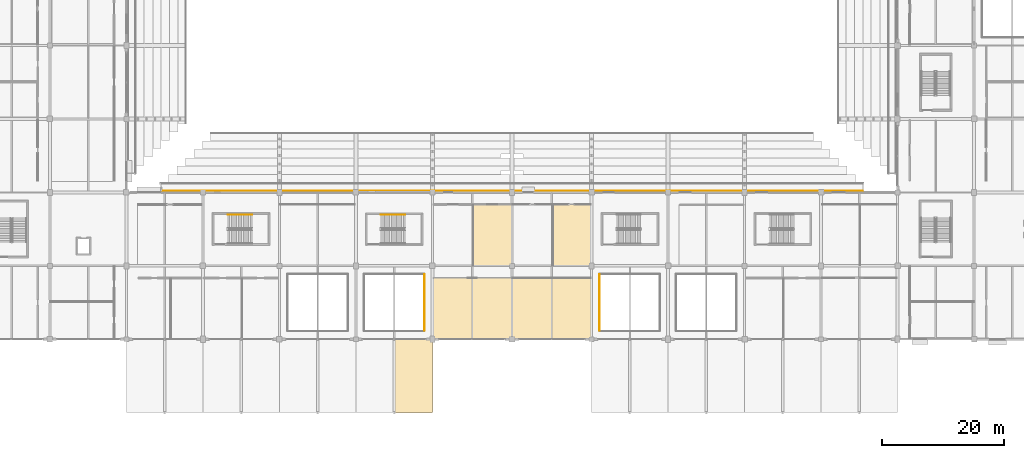
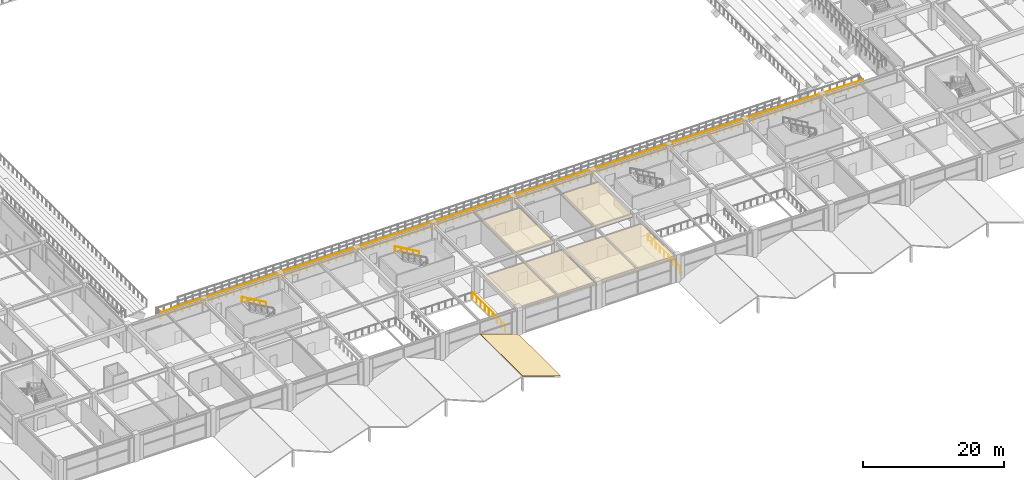
# One storey, part 102 of 134: 5 coverings, 5 railings.
"""IFC4 building model written with IfcOpenShell, lengths in metres."""

from ifc_helpers import new_model, si_unit, direction, frame, origin, origin_2d, place, context, subcontext, project, spatial, polyline, circle, outline, extrude, material, layer, layer_set, type_object, element, save


model = new_model("IFC4")

# Units and contexts
model_context = context("Model", 3, precision=1e-05, world=origin(), true_north=direction((0.0, 1.0)))
body_context = subcontext(model_context, "Body", "Model", "MODEL_VIEW")
ifc_project = project(units=[si_unit("LENGTHUNIT", "METRE"), si_unit("AREAUNIT", "SQUARE_METRE"), si_unit("VOLUMEUNIT", "CUBIC_METRE"), si_unit("PLANEANGLEUNIT", "RADIAN"), si_unit("MASSUNIT", "GRAM", prefix="KILO")], contexts=[model_context])

# Site, building, storey
site_placement = place(None, origin())
site = spatial("IfcSite", under=ifc_project, at=site_placement, CompositionType="ELEMENT")
building_placement = place(site_placement, origin())
building = spatial("IfcBuilding", under=site, at=building_placement, Name="Kazenohara Klinker Stadium", CompositionType="ELEMENT")
storey_placement = place(building_placement, frame((0.0, 0.0, 5.39990234375)))
storey = spatial("IfcBuildingStorey", under=building, at=storey_placement, Name="L01", CompositionType="ELEMENT", Elevation=5.39990234375)

# Coverings
ifc_material_1 = material(Name="Perforated acoustic mineral-fibre ceiling tile", Category="gypsum")
ifc_layer_1 = layer(ifc_material_1, 0.030029296875)
ifc_layer_set_1 = layer_set([ifc_layer_1], Name="Perforated acoustic mineral-fibre ceiling tile")
covering_type_1 = type_object("IfcCoveringType", Name="COV-CEIL-01", PredefinedType="CEILING", material=ifc_layer_set_1)
covering_1_placement = place(storey_placement, frame((0.0, 0.0, 3.75)))
element("IfcCovering", 1, at=covering_1_placement, inside=storey, type_object=covering_type_1, Name="Suspended acoustic ceiling CL01 Spectator First-Aid Medical Clinic L01-0802B", PredefinedType="CEILING", context=body_context, shape_type="SweptSolid", body=[
    extrude(outline(polyline([(105.5869140625, 24.06005859375), (111.9599609375, 24.06005859375), (111.9599609375, 34.0400390625), (105.5869140625, 34.0400390625), (105.5869140625, 24.06005859375)])), origin(), (0.0, 0.0, 1.0), 0.030029296875),
])
covering_2_placement = place(storey_placement, frame((0.0, 0.0, 3.75)))
element("IfcCovering", 2, at=covering_2_placement, inside=storey, type_object=covering_type_1, Name="Suspended acoustic ceiling CL01 Supporter Scarf and Jersey Retail Shop L01-0902B", PredefinedType="CEILING", context=body_context, shape_type="SweptSolid", body=[
    extrude(outline(polyline([(118.5869140625, 24.06005859375), (124.9599609375, 24.06005859375), (124.9599609375, 34.0400390625), (118.5869140625, 34.0400390625), (118.5869140625, 24.06005859375)])), origin(), (0.0, 0.0, 1.0), 0.030029296875),
])
ifc_material_2 = material(Name="Slatted Hokkaido cedar acoustic baffle ceiling", Category="wood")
ifc_layer_2 = layer(ifc_material_2, 0.0400390625)
ifc_layer_set_2 = layer_set([ifc_layer_2], Name="Slatted Hokkaido cedar acoustic baffle ceiling")
covering_type_2 = type_object("IfcCoveringType", Name="COV-CEIL-02", PredefinedType="CEILING", material=ifc_layer_set_2)
covering_3_placement = place(storey_placement, frame((0.0, 0.0, 3.739990234375)))
element("IfcCovering", 3, at=covering_3_placement, inside=storey, type_object=covering_type_2, Name="Suspended acoustic ceiling CL02 Concourse Hokkaido Seafood Bistro L01-0801A", PredefinedType="CEILING", context=body_context, shape_type="SweptSolid", body=[
    extrude(outline(polyline([(99.0400390625, 12.06005859375), (111.9599609375, 12.06005859375), (111.9599609375, 22.0400390625), (99.0400390625, 22.0400390625), (99.0400390625, 12.06005859375)])), origin(), (0.0, 0.0, 1.0), 0.0400390625),
])
covering_4_placement = place(storey_placement, frame((0.0, 0.0, 3.739990234375)))
element("IfcCovering", 4, at=covering_4_placement, inside=storey, type_object=covering_type_2, Name="Suspended acoustic ceiling CL02 Family Sensory Hospitality Lounge L01-0901A", PredefinedType="CEILING", context=body_context, shape_type="SweptSolid", body=[
    extrude(outline(polyline([(112.0400390625, 12.06005859375), (124.9599609375, 12.06005859375), (124.9599609375, 22.0400390625), (112.0400390625, 22.0400390625), (112.0400390625, 12.06005859375)])), origin(), (0.0, 0.0, 1.0), 0.0400390625),
])
ifc_material_3 = material(Name="Insulated standing-seam copper roofing", Category="metal")
ifc_layer_3 = layer(ifc_material_3, 0.050048828125)
ifc_layer_set_3 = layer_set([ifc_layer_3], Name="Insulated standing-seam copper roofing")
covering_type_3 = type_object("IfcCoveringType", Name="COV-ROOF-01", PredefinedType="ROOFING", material=ifc_layer_set_3)
covering_5_placement = place(storey_placement, frame((92.800048828125, 0.0, 2.1201171875), z_axis=(0.327622925614, 0.0, 0.944808561886), x_axis=(0.944808561886, 0.0, -0.327622925614)))
element("IfcCovering", 5, at=covering_5_placement, inside=storey, type_object=covering_type_3, Name="Standing-seam copper stepped wing roofing L01-B 8/A", PredefinedType="ROOFING", context=body_context, shape_type="SweptSolid", body=[
    extrude(outline(polyline([(0.0, 0.0), (6.5621242461032345, 0.0), (6.5621242461032345, 12.0), (0.0, 12.0), (0.0, 0.0)])), origin(), (0.0, 0.0, -1.0), 0.050048828125),
])

# Railings
ifc_material_4 = material(Name="Tempered laminated glass and stainless steel 316 balustrade", Category="steel")
ifc_layer_4 = layer(ifc_material_4, 0.090087890625)
ifc_layer_set_4 = layer_set([ifc_layer_4], Name="Tempered laminated glass and stainless steel 316 balustrade")
railing_type_1 = type_object("IfcRailingType", Name="RL-BAL-1150", PredefinedType="BALUSTRADE", material=ifc_layer_set_4)
for number, where, name in (
    (6, (97.679931640625, 13.3701171875, 0.0), "Double-height atrium gallery balustrade BL01-V02-E"),
    (7, (126.320068359375, 13.3701171875, 0.0), "Double-height atrium gallery balustrade BL01-V03-W"),
):
    element("IfcRailing", number, at=place(storey_placement, frame(where)), inside=storey, type_object=railing_type_1, Name=name, PredefinedType="BALUSTRADE", context=body_context, shape_type="SweptSolid", body=[
        extrude(circle(Radius=0.02392578125, at=origin_2d()), frame((0.0, 0.0, 1.1259765625), z_axis=(0.0, 1.0, 0.0), x_axis=(-1.0, 0.0, 0.0)), (0.0, 0.0, 1.0), 9.259765625),
        extrude(circle(Radius=0.02099609375, at=origin_2d()), origin(), (0.0, 0.0, 1.0), 1.101806640625),
        extrude(circle(Radius=0.02099609375, at=origin_2d()), frame((0.0, 1.157470703125, 0.0)), (0.0, 0.0, 1.0), 1.101806640625),
        extrude(circle(Radius=0.02099609375, at=origin_2d()), frame((0.0, 2.31494140625, 0.0)), (0.0, 0.0, 1.0), 1.101806640625),
        extrude(circle(Radius=0.02099609375, at=origin_2d()), frame((0.0, 3.472412109375, 0.0)), (0.0, 0.0, 1.0), 1.101806640625),
        extrude(circle(Radius=0.02099609375, at=origin_2d()), frame((0.0, 4.6298828125, 0.0)), (0.0, 0.0, 1.0), 1.101806640625),
        extrude(circle(Radius=0.02099609375, at=origin_2d()), frame((0.0, 5.787353515625, 0.0)), (0.0, 0.0, 1.0), 1.101806640625),
        extrude(circle(Radius=0.02099609375, at=origin_2d()), frame((0.0, 6.94482421875, 0.0)), (0.0, 0.0, 1.0), 1.101806640625),
        extrude(circle(Radius=0.02099609375, at=origin_2d()), frame((0.0, 8.102294921875, 0.0)), (0.0, 0.0, 1.0), 1.101806640625),
        extrude(circle(Radius=0.02099609375, at=origin_2d()), frame((0.0, 9.259765625, 0.0)), (0.0, 0.0, 1.0), 1.101806640625),
    ])
ifc_material_5 = material(Name="Galvanised powder-coated steel guardrail", Category="steel")
ifc_layer_5 = layer(ifc_material_5, 0.070068359375)
ifc_layer_set_5 = layer_set([ifc_layer_5], Name="Galvanised powder-coated steel guardrail")
railing_type_2 = type_object("IfcRailingType", Name="RL-GRD-1150", PredefinedType="GUARDRAIL", material=ifc_layer_set_5)
railing_placement = place(storey_placement, frame((54.59130859375, 36.280029296875, 3.400146484375)))
element("IfcRailing", 8, at=railing_placement, inside=storey, type_object=railing_type_2, Name="Spectator stand sightline guardrail TIER-LOWER-S-01-S", PredefinedType="GUARDRAIL", context=body_context, shape_type="SweptSolid", body=[
    extrude(circle(Radius=0.02392578125, at=origin_2d()), frame((0.0, 0.0, 1.1259765625), z_axis=(1.0, 0.0, 0.0), x_axis=(0.0, 1.0, 0.0)), (0.0, 0.0, 1.0), 114.8173828125),
    extrude(circle(Radius=0.02099609375, at=origin_2d()), origin(), (0.0, 0.0, 1.0), 1.101806640625),
    extrude(circle(Radius=0.02099609375, at=origin_2d()), frame((1.196044921875, 0.0, 0.0)), (0.0, 0.0, 1.0), 1.101806640625),
    extrude(circle(Radius=0.02099609375, at=origin_2d()), frame((2.39208984375, 0.0, 0.0)), (0.0, 0.0, 1.0), 1.101806640625),
    extrude(circle(Radius=0.02099609375, at=origin_2d()), frame((3.588134765625, 0.0, 0.0)), (0.0, 0.0, 1.0), 1.101806640625),
    extrude(circle(Radius=0.02099609375, at=origin_2d()), frame((4.7841796875, 0.0, 0.0)), (0.0, 0.0, 1.0), 1.101806640625),
    extrude(circle(Radius=0.02099609375, at=origin_2d()), frame((5.97998046875, 0.0, 0.0)), (0.0, 0.0, 1.0), 1.101806640625),
    extrude(circle(Radius=0.02099609375, at=origin_2d()), frame((7.176025390625, 0.0, 0.0)), (0.0, 0.0, 1.0), 1.101806640625),
    extrude(circle(Radius=0.02099609375, at=origin_2d()), frame((8.3720703125, 0.0, 0.0)), (0.0, 0.0, 1.0), 1.101806640625),
    extrude(circle(Radius=0.02099609375, at=origin_2d()), frame((9.568115234375, 0.0, 0.0)), (0.0, 0.0, 1.0), 1.101806640625),
    extrude(circle(Radius=0.02099609375, at=origin_2d()), frame((10.76416015625, 0.0, 0.0)), (0.0, 0.0, 1.0), 1.101806640625),
    extrude(circle(Radius=0.02099609375, at=origin_2d()), frame((11.960205078125, 0.0, 0.0)), (0.0, 0.0, 1.0), 1.101806640625),
    extrude(circle(Radius=0.02099609375, at=origin_2d()), frame((13.15625, 0.0, 0.0)), (0.0, 0.0, 1.0), 1.101806640625),
    extrude(circle(Radius=0.02099609375, at=origin_2d()), frame((14.35205078125, 0.0, 0.0)), (0.0, 0.0, 1.0), 1.101806640625),
    extrude(circle(Radius=0.02099609375, at=origin_2d()), frame((15.548095703125, 0.0, 0.0)), (0.0, 0.0, 1.0), 1.101806640625),
    extrude(circle(Radius=0.02099609375, at=origin_2d()), frame((16.744140625, 0.0, 0.0)), (0.0, 0.0, 1.0), 1.101806640625),
    extrude(circle(Radius=0.02099609375, at=origin_2d()), frame((17.940185546875, 0.0, 0.0)), (0.0, 0.0, 1.0), 1.101806640625),
    extrude(circle(Radius=0.02099609375, at=origin_2d()), frame((19.13623046875, 0.0, 0.0)), (0.0, 0.0, 1.0), 1.101806640625),
    extrude(circle(Radius=0.02099609375, at=origin_2d()), frame((20.332275390625, 0.0, 0.0)), (0.0, 0.0, 1.0), 1.101806640625),
    extrude(circle(Radius=0.02099609375, at=origin_2d()), frame((21.5283203125, 0.0, 0.0)), (0.0, 0.0, 1.0), 1.101806640625),
    extrude(circle(Radius=0.02099609375, at=origin_2d()), frame((22.724365234375, 0.0, 0.0)), (0.0, 0.0, 1.0), 1.101806640625),
    extrude(circle(Radius=0.02099609375, at=origin_2d()), frame((23.92041015625, 0.0, 0.0)), (0.0, 0.0, 1.0), 1.101806640625),
    extrude(circle(Radius=0.02099609375, at=origin_2d()), frame((25.1162109375, 0.0, 0.0)), (0.0, 0.0, 1.0), 1.101806640625),
    extrude(circle(Radius=0.02099609375, at=origin_2d()), frame((26.312255859375, 0.0, 0.0)), (0.0, 0.0, 1.0), 1.101806640625),
    extrude(circle(Radius=0.02099609375, at=origin_2d()), frame((27.50830078125, 0.0, 0.0)), (0.0, 0.0, 1.0), 1.101806640625),
    extrude(circle(Radius=0.02099609375, at=origin_2d()), frame((28.704345703125, 0.0, 0.0)), (0.0, 0.0, 1.0), 1.101806640625),
    extrude(circle(Radius=0.02099609375, at=origin_2d()), frame((29.900390625, 0.0, 0.0)), (0.0, 0.0, 1.0), 1.101806640625),
    extrude(circle(Radius=0.02099609375, at=origin_2d()), frame((31.096435546875, 0.0, 0.0)), (0.0, 0.0, 1.0), 1.101806640625),
    extrude(circle(Radius=0.02099609375, at=origin_2d()), frame((32.29248046875, 0.0, 0.0)), (0.0, 0.0, 1.0), 1.101806640625),
    extrude(circle(Radius=0.02099609375, at=origin_2d()), frame((33.48828125, 0.0, 0.0)), (0.0, 0.0, 1.0), 1.101806640625),
    extrude(circle(Radius=0.02099609375, at=origin_2d()), frame((34.684326171875, 0.0, 0.0)), (0.0, 0.0, 1.0), 1.101806640625),
    extrude(circle(Radius=0.02099609375, at=origin_2d()), frame((35.88037109375, 0.0, 0.0)), (0.0, 0.0, 1.0), 1.101806640625),
    extrude(circle(Radius=0.02099609375, at=origin_2d()), frame((37.076416015625, 0.0, 0.0)), (0.0, 0.0, 1.0), 1.101806640625),
    extrude(circle(Radius=0.02099609375, at=origin_2d()), frame((38.2724609375, 0.0, 0.0)), (0.0, 0.0, 1.0), 1.101806640625),
    extrude(circle(Radius=0.02099609375, at=origin_2d()), frame((39.468505859375, 0.0, 0.0)), (0.0, 0.0, 1.0), 1.101806640625),
    extrude(circle(Radius=0.02099609375, at=origin_2d()), frame((40.66455078125, 0.0, 0.0)), (0.0, 0.0, 1.0), 1.101806640625),
    extrude(circle(Radius=0.02099609375, at=origin_2d()), frame((41.860595703125, 0.0, 0.0)), (0.0, 0.0, 1.0), 1.101806640625),
    extrude(circle(Radius=0.02099609375, at=origin_2d()), frame((43.056640625, 0.0, 0.0)), (0.0, 0.0, 1.0), 1.101806640625),
    extrude(circle(Radius=0.02099609375, at=origin_2d()), frame((44.25244140625, 0.0, 0.0)), (0.0, 0.0, 1.0), 1.101806640625),
    extrude(circle(Radius=0.02099609375, at=origin_2d()), frame((45.448486328125, 0.0, 0.0)), (0.0, 0.0, 1.0), 1.101806640625),
    extrude(circle(Radius=0.02099609375, at=origin_2d()), frame((46.64453125, 0.0, 0.0)), (0.0, 0.0, 1.0), 1.101806640625),
    extrude(circle(Radius=0.02099609375, at=origin_2d()), frame((47.840576171875, 0.0, 0.0)), (0.0, 0.0, 1.0), 1.101806640625),
    extrude(circle(Radius=0.02099609375, at=origin_2d()), frame((49.03662109375, 0.0, 0.0)), (0.0, 0.0, 1.0), 1.101806640625),
    extrude(circle(Radius=0.02099609375, at=origin_2d()), frame((50.232666015625, 0.0, 0.0)), (0.0, 0.0, 1.0), 1.101806640625),
    extrude(circle(Radius=0.02099609375, at=origin_2d()), frame((51.4287109375, 0.0, 0.0)), (0.0, 0.0, 1.0), 1.101806640625),
    extrude(circle(Radius=0.02099609375, at=origin_2d()), frame((52.62451171875, 0.0, 0.0)), (0.0, 0.0, 1.0), 1.101806640625),
    extrude(circle(Radius=0.02099609375, at=origin_2d()), frame((53.820556640625, 0.0, 0.0)), (0.0, 0.0, 1.0), 1.101806640625),
    extrude(circle(Radius=0.02099609375, at=origin_2d()), frame((55.0166015625, 0.0, 0.0)), (0.0, 0.0, 1.0), 1.101806640625),
    extrude(circle(Radius=0.02099609375, at=origin_2d()), frame((56.212646484375, 0.0, 0.0)), (0.0, 0.0, 1.0), 1.101806640625),
    extrude(circle(Radius=0.02099609375, at=origin_2d()), frame((57.40869140625, 0.0, 0.0)), (0.0, 0.0, 1.0), 1.101806640625),
    extrude(circle(Radius=0.02099609375, at=origin_2d()), frame((58.604736328125, 0.0, 0.0)), (0.0, 0.0, 1.0), 1.101806640625),
    extrude(circle(Radius=0.02099609375, at=origin_2d()), frame((59.80078125, 0.0, 0.0)), (0.0, 0.0, 1.0), 1.101806640625),
    extrude(circle(Radius=0.02099609375, at=origin_2d()), frame((60.996826171875, 0.0, 0.0)), (0.0, 0.0, 1.0), 1.101806640625),
    extrude(circle(Radius=0.02099609375, at=origin_2d()), frame((62.192626953125, 0.0, 0.0)), (0.0, 0.0, 1.0), 1.101806640625),
    extrude(circle(Radius=0.02099609375, at=origin_2d()), frame((63.388671875, 0.0, 0.0)), (0.0, 0.0, 1.0), 1.101806640625),
    extrude(circle(Radius=0.02099609375, at=origin_2d()), frame((64.584716796875, 0.0, 0.0)), (0.0, 0.0, 1.0), 1.101806640625),
    extrude(circle(Radius=0.02099609375, at=origin_2d()), frame((65.78076171875, 0.0, 0.0)), (0.0, 0.0, 1.0), 1.101806640625),
    extrude(circle(Radius=0.02099609375, at=origin_2d()), frame((66.976806640625, 0.0, 0.0)), (0.0, 0.0, 1.0), 1.101806640625),
    extrude(circle(Radius=0.02099609375, at=origin_2d()), frame((68.1728515625, 0.0, 0.0)), (0.0, 0.0, 1.0), 1.101806640625),
    extrude(circle(Radius=0.02099609375, at=origin_2d()), frame((69.368896484375, 0.0, 0.0)), (0.0, 0.0, 1.0), 1.101806640625),
    extrude(circle(Radius=0.02099609375, at=origin_2d()), frame((70.56494140625, 0.0, 0.0)), (0.0, 0.0, 1.0), 1.101806640625),
    extrude(circle(Radius=0.02099609375, at=origin_2d()), frame((71.7607421875, 0.0, 0.0)), (0.0, 0.0, 1.0), 1.101806640625),
    extrude(circle(Radius=0.02099609375, at=origin_2d()), frame((72.956787109375, 0.0, 0.0)), (0.0, 0.0, 1.0), 1.101806640625),
    extrude(circle(Radius=0.02099609375, at=origin_2d()), frame((74.15283203125, 0.0, 0.0)), (0.0, 0.0, 1.0), 1.101806640625),
    extrude(circle(Radius=0.02099609375, at=origin_2d()), frame((75.348876953125, 0.0, 0.0)), (0.0, 0.0, 1.0), 1.101806640625),
    extrude(circle(Radius=0.02099609375, at=origin_2d()), frame((76.544921875, 0.0, 0.0)), (0.0, 0.0, 1.0), 1.101806640625),
    extrude(circle(Radius=0.02099609375, at=origin_2d()), frame((77.740966796875, 0.0, 0.0)), (0.0, 0.0, 1.0), 1.101806640625),
    extrude(circle(Radius=0.02099609375, at=origin_2d()), frame((78.93701171875, 0.0, 0.0)), (0.0, 0.0, 1.0), 1.101806640625),
    extrude(circle(Radius=0.02099609375, at=origin_2d()), frame((80.133056640625, 0.0, 0.0)), (0.0, 0.0, 1.0), 1.101806640625),
    extrude(circle(Radius=0.02099609375, at=origin_2d()), frame((81.3291015625, 0.0, 0.0)), (0.0, 0.0, 1.0), 1.101806640625),
    extrude(circle(Radius=0.02099609375, at=origin_2d()), frame((82.52490234375, 0.0, 0.0)), (0.0, 0.0, 1.0), 1.101806640625),
    extrude(circle(Radius=0.02099609375, at=origin_2d()), frame((83.720947265625, 0.0, 0.0)), (0.0, 0.0, 1.0), 1.101806640625),
    extrude(circle(Radius=0.02099609375, at=origin_2d()), frame((84.9169921875, 0.0, 0.0)), (0.0, 0.0, 1.0), 1.101806640625),
    extrude(circle(Radius=0.02099609375, at=origin_2d()), frame((86.113037109375, 0.0, 0.0)), (0.0, 0.0, 1.0), 1.101806640625),
    extrude(circle(Radius=0.02099609375, at=origin_2d()), frame((87.30908203125, 0.0, 0.0)), (0.0, 0.0, 1.0), 1.101806640625),
    extrude(circle(Radius=0.02099609375, at=origin_2d()), frame((88.505126953125, 0.0, 0.0)), (0.0, 0.0, 1.0), 1.101806640625),
    extrude(circle(Radius=0.02099609375, at=origin_2d()), frame((89.701171875, 0.0, 0.0)), (0.0, 0.0, 1.0), 1.101806640625),
    extrude(circle(Radius=0.02099609375, at=origin_2d()), frame((90.89697265625, 0.0, 0.0)), (0.0, 0.0, 1.0), 1.101806640625),
    extrude(circle(Radius=0.02099609375, at=origin_2d()), frame((92.093017578125, 0.0, 0.0)), (0.0, 0.0, 1.0), 1.101806640625),
    extrude(circle(Radius=0.02099609375, at=origin_2d()), frame((93.2890625, 0.0, 0.0)), (0.0, 0.0, 1.0), 1.101806640625),
    extrude(circle(Radius=0.02099609375, at=origin_2d()), frame((94.485107421875, 0.0, 0.0)), (0.0, 0.0, 1.0), 1.101806640625),
    extrude(circle(Radius=0.02099609375, at=origin_2d()), frame((95.68115234375, 0.0, 0.0)), (0.0, 0.0, 1.0), 1.101806640625),
    extrude(circle(Radius=0.02099609375, at=origin_2d()), frame((96.877197265625, 0.0, 0.0)), (0.0, 0.0, 1.0), 1.101806640625),
    extrude(circle(Radius=0.02099609375, at=origin_2d()), frame((98.0732421875, 0.0, 0.0)), (0.0, 0.0, 1.0), 1.101806640625),
    extrude(circle(Radius=0.02099609375, at=origin_2d()), frame((99.269287109375, 0.0, 0.0)), (0.0, 0.0, 1.0), 1.101806640625),
    extrude(circle(Radius=0.02099609375, at=origin_2d()), frame((100.46533203125, 0.0, 0.0)), (0.0, 0.0, 1.0), 1.101806640625),
    extrude(circle(Radius=0.02099609375, at=origin_2d()), frame((101.6611328125, 0.0, 0.0)), (0.0, 0.0, 1.0), 1.101806640625),
    extrude(circle(Radius=0.02099609375, at=origin_2d()), frame((102.857177734375, 0.0, 0.0)), (0.0, 0.0, 1.0), 1.101806640625),
    extrude(circle(Radius=0.02099609375, at=origin_2d()), frame((104.05322265625, 0.0, 0.0)), (0.0, 0.0, 1.0), 1.101806640625),
    extrude(circle(Radius=0.02099609375, at=origin_2d()), frame((105.249267578125, 0.0, 0.0)), (0.0, 0.0, 1.0), 1.101806640625),
    extrude(circle(Radius=0.02099609375, at=origin_2d()), frame((106.4453125, 0.0, 0.0)), (0.0, 0.0, 1.0), 1.101806640625),
    extrude(circle(Radius=0.02099609375, at=origin_2d()), frame((107.641357421875, 0.0, 0.0)), (0.0, 0.0, 1.0), 1.101806640625),
    extrude(circle(Radius=0.02099609375, at=origin_2d()), frame((108.83740234375, 0.0, 0.0)), (0.0, 0.0, 1.0), 1.101806640625),
    extrude(circle(Radius=0.02099609375, at=origin_2d()), frame((110.033203125, 0.0, 0.0)), (0.0, 0.0, 1.0), 1.101806640625),
    extrude(circle(Radius=0.02099609375, at=origin_2d()), frame((111.229248046875, 0.0, 0.0)), (0.0, 0.0, 1.0), 1.101806640625),
    extrude(circle(Radius=0.02099609375, at=origin_2d()), frame((112.42529296875, 0.0, 0.0)), (0.0, 0.0, 1.0), 1.101806640625),
    extrude(circle(Radius=0.02099609375, at=origin_2d()), frame((113.621337890625, 0.0, 0.0)), (0.0, 0.0, 1.0), 1.101806640625),
    extrude(circle(Radius=0.02099609375, at=origin_2d()), frame((114.8173828125, 0.0, 0.0)), (0.0, 0.0, 1.0), 1.101806640625),
])
ifc_material_6 = material(Name="Brushed stainless steel 304 handrail", Category="steel")
ifc_layer_6 = layer(ifc_material_6, 0.050048828125)
ifc_layer_set_6 = layer_set([ifc_layer_6], Name="Brushed stainless steel 304 handrail")
railing_type_3 = type_object("IfcRailingType", Name="RL-HND-900", PredefinedType="HANDRAIL", material=ifc_layer_set_6)
for number, where, name in (
    (9, (69.510009765625, 32.35009765625, 2.56005859375), "L01 ST25 stair handrail 2"),
    (10, (94.52001953125, 32.360107421875, 2.56005859375), "L01 ST26 stair handrail 2"),
):
    element("IfcRailing", number, at=place(storey_placement, frame(where)), inside=storey, type_object=railing_type_3, Name=name, PredefinedType="HANDRAIL", context=body_context, shape_type="SweptSolid", body=[
        extrude(circle(Radius=0.02392578125, at=origin_2d()), frame((0.0, 0.0, 0.8759765625), z_axis=(-0.868239814368, 0.0, 0.496144761885), x_axis=(0.0, -1.0, 0.0)), (0.0, 0.0, 1.0), 4.514892578125),
        extrude(circle(Radius=0.02099609375, at=origin_2d()), origin(), (0.0, 0.0, 1.0), 0.851806640625),
        extrude(circle(Radius=0.02099609375, at=origin_2d()), frame((-0.97998046875, 0.0, 0.56005859375)), (0.0, 0.0, 1.0), 0.851806640625),
        extrude(circle(Radius=0.02099609375, at=origin_2d()), frame((-1.9599609375, 0.0, 1.1201171875)), (0.0, 0.0, 1.0), 0.851806640625),
        extrude(circle(Radius=0.02099609375, at=origin_2d()), frame((-2.93994140625, 0.0, 1.679931640625)), (0.0, 0.0, 1.0), 0.851806640625),
        extrude(circle(Radius=0.02099609375, at=origin_2d()), frame((-3.919921875, 0.0, 2.239990234375)), (0.0, 0.0, 1.0), 0.851806640625),
    ])

save(model, "model.ifc")
